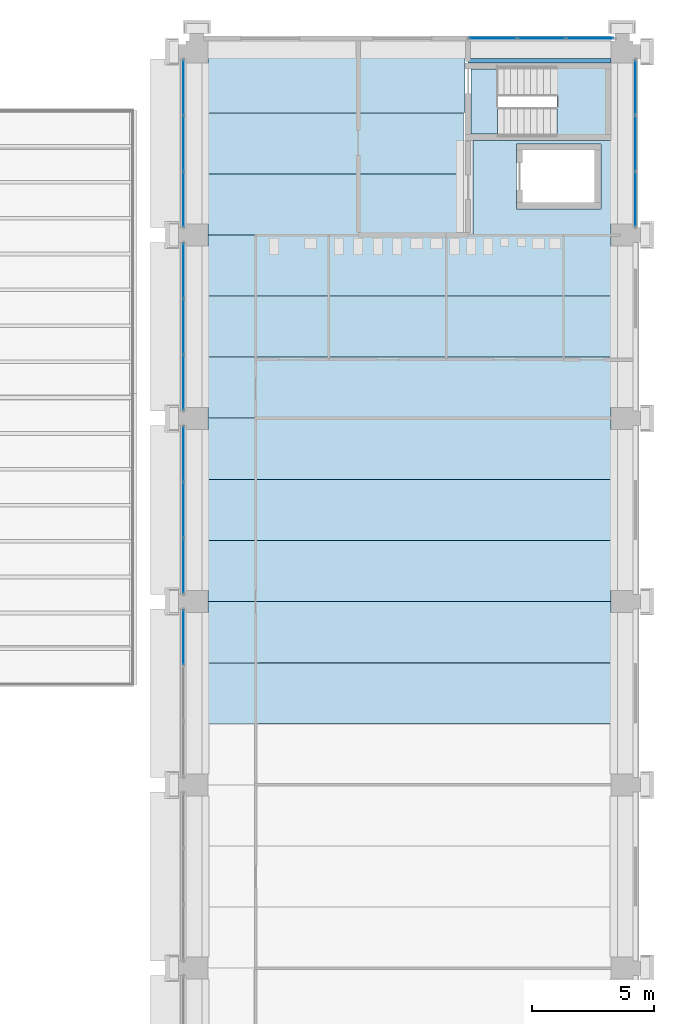
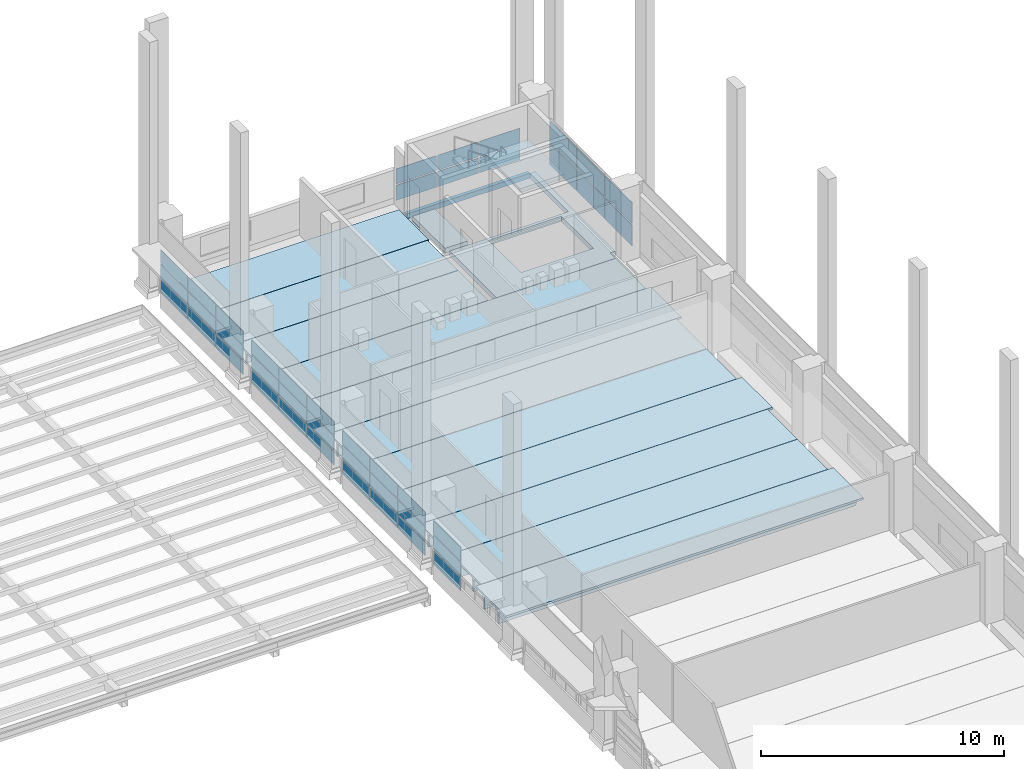
# One storey, part 34 of 67: 42 plates, 15 slabs, 7 elements without a shape of their own.
"""IFC4 building model written with IfcOpenShell, lengths in metres."""

from ifc_helpers import new_model, si_unit, direction, frame, origin, origin_2d, place, context, subcontext, project, spatial, polyline, rectangle, outline, extrude, material, layer, layer_set, material_profile, profile_set, type_object, element, aggregate, save


model = new_model("IFC4")

# Units and contexts
model_context = context("Model", 3, precision=1e-05, world=origin(), true_north=direction((0.0, 1.0)))
body_context = subcontext(model_context, "Body", "Model", "MODEL_VIEW")
ifc_project = project(units=[si_unit("LENGTHUNIT", "METRE"), si_unit("AREAUNIT", "SQUARE_METRE"), si_unit("VOLUMEUNIT", "CUBIC_METRE"), si_unit("PLANEANGLEUNIT", "RADIAN"), si_unit("MASSUNIT", "GRAM", prefix="KILO")], contexts=[model_context])

# Site, building, storey
site_placement = place(None, origin())
site = spatial("IfcSite", under=ifc_project, at=site_placement, CompositionType="ELEMENT")
building_placement = place(site_placement, origin())
building = spatial("IfcBuilding", under=site, at=building_placement, Name="Cour d'Honneur Mobility Palace", CompositionType="ELEMENT")
storey_placement = place(building_placement, frame((0.0, 0.0, 4.5)))
storey = spatial("IfcBuildingStorey", under=building, at=storey_placement, Name="L01", CompositionType="ELEMENT", Elevation=4.5)

# Slabs
ifc_material_1 = material(Name="Concrete C50", Category="concrete")
ifc_layer_1 = layer(ifc_material_1, 0.25)
ifc_layer_set_1 = layer_set([ifc_layer_1], Name="Concrete C50")
slab_type_1 = type_object("IfcSlabType", Name="Cast-in-place Slab 250", PredefinedType="FLOOR", material=ifc_layer_set_1)
slab_1_placement = place(storey_placement, frame((0.0, 0.0, -0.25)))
element("IfcSlab", 1, at=slab_1_placement, inside=storey, type_object=slab_type_1, Name="Cast-in-place slab S1 L01 core", PredefinedType="FLOOR", context=body_context, shape_type="SweptSolid", body=[
    extrude(outline(polyline([(161.85009765625, 114.449951171875), (156.0, 114.449951171875), (156.0, 114.625), (161.85009765625, 114.625), (161.85009765625, 114.449951171875)])), origin(), (0.0, 0.0, 1.0), 0.25),
])
slab_2_placement = place(storey_placement, frame((0.0, 0.0, -0.25)))
element("IfcSlab", 2, at=slab_2_placement, inside=storey, type_object=slab_type_1, Name="Cast-in-place slab S1 L01 core", PredefinedType="FLOOR", context=body_context, shape_type="SweptSolid", body=[
    extrude(outline(polyline([(162.10009765625, 114.449951171875), (162.10009765625, 107.85009765625), (161.85009765625, 107.85009765625), (161.85009765625, 107.39990234375), (156.199951171875, 107.39990234375), (156.199951171875, 111.27490234375), (161.85009765625, 111.27490234375), (161.85009765625, 114.449951171875), (162.10009765625, 114.449951171875)]), holes=[polyline([(161.425048828125, 111.125), (157.97509765625, 111.125), (157.97509765625, 108.47509765625), (161.425048828125, 108.47509765625), (161.425048828125, 111.125)])]), origin(), (0.0, 0.0, 1.0), 0.25),
])
slab_3_placement = place(storey_placement, frame((0.0, 0.0, -0.25)))
element("IfcSlab", 3, at=slab_3_placement, inside=storey, type_object=slab_type_1, Name="Cast-in-place slab S1 L01 core", PredefinedType="FLOOR", context=body_context, shape_type="SweptSolid", body=[
    extrude(outline(polyline([(156.125, 114.199951171875), (157.199951171875, 114.199951171875), (157.199951171875, 111.52490234375), (156.125, 111.52490234375), (156.125, 114.199951171875)])), origin(), (0.0, 0.0, 1.0), 0.25),
])

# Curtain wall, plates
ifc_material_2 = material(Name="Aluminium and glass", Category="aluminium")
ifc_layer_2 = layer(ifc_material_2, 0.10009765625)
ifc_layer_set_2 = layer_set([ifc_layer_2], Name="Aluminium and glass")
curtain_wall_type = type_object("IfcCurtainWallType", Name="Curtain wall run", PredefinedType="NOTDEFINED", material=ifc_layer_set_2)
curtain_wall_1_placement = place(storey_placement, origin())
curtain_wall_1 = element("IfcCurtainWall", 4, at=curtain_wall_1_placement, inside=storey, type_object=curtain_wall_type, Name="Curtain wall CW-44", PredefinedType="NOTDEFINED")
ifc_material_3 = material(Name="Double glazing", Category="glass")
ifc_layer_3 = layer(ifc_material_3, 0.028076171875)
ifc_layer_set_3 = layer_set([ifc_layer_3], Name="Double glazing")
plate_type = type_object("IfcPlateType", Name="Curtain wall panel", PredefinedType="CURTAIN_PANEL", material=ifc_layer_set_3)
plate_1_placement = place(storey_placement, frame((144.35009765625, 113.43505859375, 0.06005859375), z_axis=(0.0, 0.0, 1.0), x_axis=(0.0, -1.0, 0.0)))
plate_1 = element("IfcPlate", 5, at=plate_1_placement, type_object=plate_type, Name="CW-44 panel 1.1", PredefinedType="CURTAIN_PANEL", context=body_context, shape_type="SweptSolid", body=[
    extrude(rectangle(XDim=2.2099609375, YDim=0.028076171875, at=origin_2d()), origin(), (0.0, 0.0, 1.0), 0.6767578125),
])
plate_2_placement = place(storey_placement, frame((144.35009765625, 113.43505859375, 0.79638671875), z_axis=(0.0, 0.0, 1.0), x_axis=(0.0, -1.0, 0.0)))
plate_2 = element("IfcPlate", 6, at=plate_2_placement, type_object=plate_type, Name="CW-44 panel 1.2", PredefinedType="CURTAIN_PANEL", context=body_context, shape_type="SweptSolid", body=[
    extrude(rectangle(XDim=2.2099609375, YDim=0.028076171875, at=origin_2d()), origin(), (0.0, 0.0, 1.0), 0.706787109375),
])
plate_3_placement = place(storey_placement, frame((144.35009765625, 113.43505859375, 1.563232421875), z_axis=(0.0, 0.0, 1.0), x_axis=(0.0, -1.0, 0.0)))
plate_3 = element("IfcPlate", 7, at=plate_3_placement, type_object=plate_type, Name="CW-44 panel 1.3", PredefinedType="CURTAIN_PANEL", context=body_context, shape_type="SweptSolid", body=[
    extrude(rectangle(XDim=2.2099609375, YDim=0.028076171875, at=origin_2d()), origin(), (0.0, 0.0, 1.0), 0.6767578125),
])
plate_4_placement = place(storey_placement, frame((144.35009765625, 111.14990234375, 0.06005859375), z_axis=(0.0, 0.0, 1.0), x_axis=(0.0, -1.0, 0.0)))
plate_4 = element("IfcPlate", 8, at=plate_4_placement, type_object=plate_type, Name="CW-44 panel 2.1", PredefinedType="CURTAIN_PANEL", context=body_context, shape_type="SweptSolid", body=[
    extrude(rectangle(XDim=2.239990234375, YDim=0.028076171875, at=origin_2d()), origin(), (0.0, 0.0, 1.0), 0.6767578125),
])
plate_5_placement = place(storey_placement, frame((144.35009765625, 111.14990234375, 0.79638671875), z_axis=(0.0, 0.0, 1.0), x_axis=(0.0, -1.0, 0.0)))
plate_5 = element("IfcPlate", 9, at=plate_5_placement, type_object=plate_type, Name="CW-44 panel 2.2", PredefinedType="CURTAIN_PANEL", context=body_context, shape_type="SweptSolid", body=[
    extrude(rectangle(XDim=2.239990234375, YDim=0.028076171875, at=origin_2d()), origin(), (0.0, 0.0, 1.0), 0.706787109375),
])
plate_6_placement = place(storey_placement, frame((144.35009765625, 111.14990234375, 1.563232421875), z_axis=(0.0, 0.0, 1.0), x_axis=(0.0, -1.0, 0.0)))
plate_6 = element("IfcPlate", 10, at=plate_6_placement, type_object=plate_type, Name="CW-44 panel 2.3", PredefinedType="CURTAIN_PANEL", context=body_context, shape_type="SweptSolid", body=[
    extrude(rectangle(XDim=2.239990234375, YDim=0.028076171875, at=origin_2d()), origin(), (0.0, 0.0, 1.0), 0.6767578125),
])
plate_7_placement = place(storey_placement, frame((144.35009765625, 108.864990234375, 0.06005859375), z_axis=(0.0, 0.0, 1.0), x_axis=(0.0, -1.0, 0.0)))
plate_7 = element("IfcPlate", 11, at=plate_7_placement, type_object=plate_type, Name="CW-44 panel 3.1", PredefinedType="CURTAIN_PANEL", context=body_context, shape_type="SweptSolid", body=[
    extrude(rectangle(XDim=2.2099609375, YDim=0.028076171875, at=origin_2d()), origin(), (0.0, 0.0, 1.0), 0.6767578125),
])
plate_8_placement = place(storey_placement, frame((144.35009765625, 108.864990234375, 0.79638671875), z_axis=(0.0, 0.0, 1.0), x_axis=(0.0, -1.0, 0.0)))
plate_8 = element("IfcPlate", 12, at=plate_8_placement, type_object=plate_type, Name="CW-44 panel 3.2", PredefinedType="CURTAIN_PANEL", context=body_context, shape_type="SweptSolid", body=[
    extrude(rectangle(XDim=2.2099609375, YDim=0.028076171875, at=origin_2d()), origin(), (0.0, 0.0, 1.0), 0.706787109375),
])
plate_9_placement = place(storey_placement, frame((144.35009765625, 108.864990234375, 1.563232421875), z_axis=(0.0, 0.0, 1.0), x_axis=(0.0, -1.0, 0.0)))
plate_9 = element("IfcPlate", 13, at=plate_9_placement, type_object=plate_type, Name="CW-44 panel 3.3", PredefinedType="CURTAIN_PANEL", context=body_context, shape_type="SweptSolid", body=[
    extrude(rectangle(XDim=2.2099609375, YDim=0.028076171875, at=origin_2d()), origin(), (0.0, 0.0, 1.0), 0.6767578125),
])
aggregate(curtain_wall_1, [plate_1, plate_2, plate_3, plate_4, plate_5, plate_6, plate_7, plate_8, plate_9])

curtain_wall_2_placement = place(storey_placement, origin())
curtain_wall_2 = element("IfcCurtainWall", 14, at=curtain_wall_2_placement, inside=storey, type_object=curtain_wall_type, Name="Curtain wall CW-45", PredefinedType="NOTDEFINED")
plate_10_placement = place(storey_placement, frame((144.35009765625, 105.93505859375, 0.06005859375), z_axis=(0.0, 0.0, 1.0), x_axis=(0.0, -1.0, 0.0)))
plate_10 = element("IfcPlate", 15, at=plate_10_placement, type_object=plate_type, Name="CW-45 panel 1.1", PredefinedType="CURTAIN_PANEL", context=body_context, shape_type="SweptSolid", body=[
    extrude(rectangle(XDim=2.2099609375, YDim=0.028076171875, at=origin_2d()), origin(), (0.0, 0.0, 1.0), 0.6767578125),
])
plate_11_placement = place(storey_placement, frame((144.35009765625, 105.93505859375, 0.79638671875), z_axis=(0.0, 0.0, 1.0), x_axis=(0.0, -1.0, 0.0)))
plate_11 = element("IfcPlate", 16, at=plate_11_placement, type_object=plate_type, Name="CW-45 panel 1.2", PredefinedType="CURTAIN_PANEL", context=body_context, shape_type="SweptSolid", body=[
    extrude(rectangle(XDim=2.2099609375, YDim=0.028076171875, at=origin_2d()), origin(), (0.0, 0.0, 1.0), 0.706787109375),
])
plate_12_placement = place(storey_placement, frame((144.35009765625, 105.93505859375, 1.563232421875), z_axis=(0.0, 0.0, 1.0), x_axis=(0.0, -1.0, 0.0)))
plate_12 = element("IfcPlate", 17, at=plate_12_placement, type_object=plate_type, Name="CW-45 panel 1.3", PredefinedType="CURTAIN_PANEL", context=body_context, shape_type="SweptSolid", body=[
    extrude(rectangle(XDim=2.2099609375, YDim=0.028076171875, at=origin_2d()), origin(), (0.0, 0.0, 1.0), 0.6767578125),
])
plate_13_placement = place(storey_placement, frame((144.35009765625, 103.64990234375, 0.06005859375), z_axis=(0.0, 0.0, 1.0), x_axis=(0.0, -1.0, 0.0)))
plate_13 = element("IfcPlate", 18, at=plate_13_placement, type_object=plate_type, Name="CW-45 panel 2.1", PredefinedType="CURTAIN_PANEL", context=body_context, shape_type="SweptSolid", body=[
    extrude(rectangle(XDim=2.239990234375, YDim=0.028076171875, at=origin_2d()), origin(), (0.0, 0.0, 1.0), 0.6767578125),
])
plate_14_placement = place(storey_placement, frame((144.35009765625, 103.64990234375, 0.79638671875), z_axis=(0.0, 0.0, 1.0), x_axis=(0.0, -1.0, 0.0)))
plate_14 = element("IfcPlate", 19, at=plate_14_placement, type_object=plate_type, Name="CW-45 panel 2.2", PredefinedType="CURTAIN_PANEL", context=body_context, shape_type="SweptSolid", body=[
    extrude(rectangle(XDim=2.239990234375, YDim=0.028076171875, at=origin_2d()), origin(), (0.0, 0.0, 1.0), 0.706787109375),
])
plate_15_placement = place(storey_placement, frame((144.35009765625, 103.64990234375, 1.563232421875), z_axis=(0.0, 0.0, 1.0), x_axis=(0.0, -1.0, 0.0)))
plate_15 = element("IfcPlate", 20, at=plate_15_placement, type_object=plate_type, Name="CW-45 panel 2.3", PredefinedType="CURTAIN_PANEL", context=body_context, shape_type="SweptSolid", body=[
    extrude(rectangle(XDim=2.239990234375, YDim=0.028076171875, at=origin_2d()), origin(), (0.0, 0.0, 1.0), 0.6767578125),
])
plate_16_placement = place(storey_placement, frame((144.35009765625, 101.364990234375, 0.06005859375), z_axis=(0.0, 0.0, 1.0), x_axis=(0.0, -1.0, 0.0)))
plate_16 = element("IfcPlate", 21, at=plate_16_placement, type_object=plate_type, Name="CW-45 panel 3.1", PredefinedType="CURTAIN_PANEL", context=body_context, shape_type="SweptSolid", body=[
    extrude(rectangle(XDim=2.2099609375, YDim=0.028076171875, at=origin_2d()), origin(), (0.0, 0.0, 1.0), 0.6767578125),
])
plate_17_placement = place(storey_placement, frame((144.35009765625, 101.364990234375, 0.79638671875), z_axis=(0.0, 0.0, 1.0), x_axis=(0.0, -1.0, 0.0)))
plate_17 = element("IfcPlate", 22, at=plate_17_placement, type_object=plate_type, Name="CW-45 panel 3.2", PredefinedType="CURTAIN_PANEL", context=body_context, shape_type="SweptSolid", body=[
    extrude(rectangle(XDim=2.2099609375, YDim=0.028076171875, at=origin_2d()), origin(), (0.0, 0.0, 1.0), 0.706787109375),
])
plate_18_placement = place(storey_placement, frame((144.35009765625, 101.364990234375, 1.563232421875), z_axis=(0.0, 0.0, 1.0), x_axis=(0.0, -1.0, 0.0)))
plate_18 = element("IfcPlate", 23, at=plate_18_placement, type_object=plate_type, Name="CW-45 panel 3.3", PredefinedType="CURTAIN_PANEL", context=body_context, shape_type="SweptSolid", body=[
    extrude(rectangle(XDim=2.2099609375, YDim=0.028076171875, at=origin_2d()), origin(), (0.0, 0.0, 1.0), 0.6767578125),
])
aggregate(curtain_wall_2, [plate_10, plate_11, plate_12, plate_13, plate_14, plate_15, plate_16, plate_17, plate_18])

curtain_wall_3_placement = place(storey_placement, origin())
curtain_wall_3 = element("IfcCurtainWall", 24, at=curtain_wall_3_placement, inside=storey, type_object=curtain_wall_type, Name="Curtain wall CW-46", PredefinedType="NOTDEFINED")
plate_19_placement = place(storey_placement, frame((144.35009765625, 98.43505859375, 0.06005859375), z_axis=(0.0, 0.0, 1.0), x_axis=(0.0, -1.0, 0.0)))
plate_19 = element("IfcPlate", 25, at=plate_19_placement, type_object=plate_type, Name="CW-46 panel 1.1", PredefinedType="CURTAIN_PANEL", context=body_context, shape_type="SweptSolid", body=[
    extrude(rectangle(XDim=2.2099609375, YDim=0.028076171875, at=origin_2d()), origin(), (0.0, 0.0, 1.0), 0.6767578125),
])
plate_20_placement = place(storey_placement, frame((144.35009765625, 98.43505859375, 0.79638671875), z_axis=(0.0, 0.0, 1.0), x_axis=(0.0, -1.0, 0.0)))
plate_20 = element("IfcPlate", 26, at=plate_20_placement, type_object=plate_type, Name="CW-46 panel 1.2", PredefinedType="CURTAIN_PANEL", context=body_context, shape_type="SweptSolid", body=[
    extrude(rectangle(XDim=2.2099609375, YDim=0.028076171875, at=origin_2d()), origin(), (0.0, 0.0, 1.0), 0.706787109375),
])
plate_21_placement = place(storey_placement, frame((144.35009765625, 98.43505859375, 1.563232421875), z_axis=(0.0, 0.0, 1.0), x_axis=(0.0, -1.0, 0.0)))
plate_21 = element("IfcPlate", 27, at=plate_21_placement, type_object=plate_type, Name="CW-46 panel 1.3", PredefinedType="CURTAIN_PANEL", context=body_context, shape_type="SweptSolid", body=[
    extrude(rectangle(XDim=2.2099609375, YDim=0.028076171875, at=origin_2d()), origin(), (0.0, 0.0, 1.0), 0.6767578125),
])
plate_22_placement = place(storey_placement, frame((144.35009765625, 96.14990234375, 0.06005859375), z_axis=(0.0, 0.0, 1.0), x_axis=(0.0, -1.0, 0.0)))
plate_22 = element("IfcPlate", 28, at=plate_22_placement, type_object=plate_type, Name="CW-46 panel 2.1", PredefinedType="CURTAIN_PANEL", context=body_context, shape_type="SweptSolid", body=[
    extrude(rectangle(XDim=2.239990234375, YDim=0.028076171875, at=origin_2d()), origin(), (0.0, 0.0, 1.0), 0.6767578125),
])
plate_23_placement = place(storey_placement, frame((144.35009765625, 96.14990234375, 0.79638671875), z_axis=(0.0, 0.0, 1.0), x_axis=(0.0, -1.0, 0.0)))
plate_23 = element("IfcPlate", 29, at=plate_23_placement, type_object=plate_type, Name="CW-46 panel 2.2", PredefinedType="CURTAIN_PANEL", context=body_context, shape_type="SweptSolid", body=[
    extrude(rectangle(XDim=2.239990234375, YDim=0.028076171875, at=origin_2d()), origin(), (0.0, 0.0, 1.0), 0.706787109375),
])
plate_24_placement = place(storey_placement, frame((144.35009765625, 96.14990234375, 1.563232421875), z_axis=(0.0, 0.0, 1.0), x_axis=(0.0, -1.0, 0.0)))
plate_24 = element("IfcPlate", 30, at=plate_24_placement, type_object=plate_type, Name="CW-46 panel 2.3", PredefinedType="CURTAIN_PANEL", context=body_context, shape_type="SweptSolid", body=[
    extrude(rectangle(XDim=2.239990234375, YDim=0.028076171875, at=origin_2d()), origin(), (0.0, 0.0, 1.0), 0.6767578125),
])
plate_25_placement = place(storey_placement, frame((144.35009765625, 93.864990234375, 0.06005859375), z_axis=(0.0, 0.0, 1.0), x_axis=(0.0, -1.0, 0.0)))
plate_25 = element("IfcPlate", 31, at=plate_25_placement, type_object=plate_type, Name="CW-46 panel 3.1", PredefinedType="CURTAIN_PANEL", context=body_context, shape_type="SweptSolid", body=[
    extrude(rectangle(XDim=2.2099609375, YDim=0.028076171875, at=origin_2d()), origin(), (0.0, 0.0, 1.0), 0.6767578125),
])
plate_26_placement = place(storey_placement, frame((144.35009765625, 93.864990234375, 0.79638671875), z_axis=(0.0, 0.0, 1.0), x_axis=(0.0, -1.0, 0.0)))
plate_26 = element("IfcPlate", 32, at=plate_26_placement, type_object=plate_type, Name="CW-46 panel 3.2", PredefinedType="CURTAIN_PANEL", context=body_context, shape_type="SweptSolid", body=[
    extrude(rectangle(XDim=2.2099609375, YDim=0.028076171875, at=origin_2d()), origin(), (0.0, 0.0, 1.0), 0.706787109375),
])
plate_27_placement = place(storey_placement, frame((144.35009765625, 93.864990234375, 1.563232421875), z_axis=(0.0, 0.0, 1.0), x_axis=(0.0, -1.0, 0.0)))
plate_27 = element("IfcPlate", 33, at=plate_27_placement, type_object=plate_type, Name="CW-46 panel 3.3", PredefinedType="CURTAIN_PANEL", context=body_context, shape_type="SweptSolid", body=[
    extrude(rectangle(XDim=2.2099609375, YDim=0.028076171875, at=origin_2d()), origin(), (0.0, 0.0, 1.0), 0.6767578125),
])
aggregate(curtain_wall_3, [plate_19, plate_20, plate_21, plate_22, plate_23, plate_24, plate_25, plate_26, plate_27])

curtain_wall_4_placement = place(storey_placement, origin())
curtain_wall_4 = element("IfcCurtainWall", 34, at=curtain_wall_4_placement, inside=storey, type_object=curtain_wall_type, Name="Curtain wall CW-47", PredefinedType="NOTDEFINED")
plate_28_placement = place(storey_placement, frame((144.35009765625, 90.93505859375, 0.06005859375), z_axis=(0.0, 0.0, 1.0), x_axis=(0.0, -1.0, 0.0)))
plate_28 = element("IfcPlate", 35, at=plate_28_placement, type_object=plate_type, Name="CW-47 panel 1.1", PredefinedType="CURTAIN_PANEL", context=body_context, shape_type="SweptSolid", body=[
    extrude(rectangle(XDim=2.2099609375, YDim=0.028076171875, at=origin_2d()), origin(), (0.0, 0.0, 1.0), 0.6767578125),
])
plate_29_placement = place(storey_placement, frame((144.35009765625, 90.93505859375, 0.79638671875), z_axis=(0.0, 0.0, 1.0), x_axis=(0.0, -1.0, 0.0)))
plate_29 = element("IfcPlate", 36, at=plate_29_placement, type_object=plate_type, Name="CW-47 panel 1.2", PredefinedType="CURTAIN_PANEL", context=body_context, shape_type="SweptSolid", body=[
    extrude(rectangle(XDim=2.2099609375, YDim=0.028076171875, at=origin_2d()), origin(), (0.0, 0.0, 1.0), 0.706787109375),
])
plate_30_placement = place(storey_placement, frame((144.35009765625, 90.93505859375, 1.563232421875), z_axis=(0.0, 0.0, 1.0), x_axis=(0.0, -1.0, 0.0)))
plate_30 = element("IfcPlate", 37, at=plate_30_placement, type_object=plate_type, Name="CW-47 panel 1.3", PredefinedType="CURTAIN_PANEL", context=body_context, shape_type="SweptSolid", body=[
    extrude(rectangle(XDim=2.2099609375, YDim=0.028076171875, at=origin_2d()), origin(), (0.0, 0.0, 1.0), 0.6767578125),
])
aggregate(curtain_wall_4, [plate_28, plate_29, plate_30])

curtain_wall_5_placement = place(storey_placement, origin())
curtain_wall_5 = element("IfcCurtainWall", 38, at=curtain_wall_5_placement, inside=storey, type_object=curtain_wall_type, Name="Curtain wall CW-113", PredefinedType="NOTDEFINED")
plate_31_placement = place(storey_placement, frame((162.85009765625, 108.864990234375, 0.06005859375), z_axis=(0.0, 0.0, 1.0), x_axis=(0.0, 1.0, 0.0)))
plate_31 = element("IfcPlate", 39, at=plate_31_placement, type_object=plate_type, Name="CW-113 panel 1.1", PredefinedType="CURTAIN_PANEL", context=body_context, shape_type="SweptSolid", body=[
    extrude(rectangle(XDim=2.2099609375, YDim=0.028076171875, at=origin_2d()), origin(), (0.0, 0.0, 1.0), 1.06005859375),
])
plate_32_placement = place(storey_placement, frame((162.85009765625, 108.864990234375, 1.179931640625), z_axis=(0.0, 0.0, 1.0), x_axis=(0.0, 1.0, 0.0)))
plate_32 = element("IfcPlate", 40, at=plate_32_placement, type_object=plate_type, Name="CW-113 panel 1.2", PredefinedType="CURTAIN_PANEL", context=body_context, shape_type="SweptSolid", body=[
    extrude(rectangle(XDim=2.2099609375, YDim=0.028076171875, at=origin_2d()), origin(), (0.0, 0.0, 1.0), 1.06005859375),
])
plate_33_placement = place(storey_placement, frame((162.85009765625, 111.14990234375, 0.06005859375), z_axis=(0.0, 0.0, 1.0), x_axis=(0.0, 1.0, 0.0)))
plate_33 = element("IfcPlate", 41, at=plate_33_placement, type_object=plate_type, Name="CW-113 panel 2.1", PredefinedType="CURTAIN_PANEL", context=body_context, shape_type="SweptSolid", body=[
    extrude(rectangle(XDim=2.239990234375, YDim=0.028076171875, at=origin_2d()), origin(), (0.0, 0.0, 1.0), 1.06005859375),
])
plate_34_placement = place(storey_placement, frame((162.85009765625, 111.14990234375, 1.179931640625), z_axis=(0.0, 0.0, 1.0), x_axis=(0.0, 1.0, 0.0)))
plate_34 = element("IfcPlate", 42, at=plate_34_placement, type_object=plate_type, Name="CW-113 panel 2.2", PredefinedType="CURTAIN_PANEL", context=body_context, shape_type="SweptSolid", body=[
    extrude(rectangle(XDim=2.239990234375, YDim=0.028076171875, at=origin_2d()), origin(), (0.0, 0.0, 1.0), 1.06005859375),
])
plate_35_placement = place(storey_placement, frame((162.85009765625, 113.43505859375, 0.06005859375), z_axis=(0.0, 0.0, 1.0), x_axis=(0.0, 1.0, 0.0)))
plate_35 = element("IfcPlate", 43, at=plate_35_placement, type_object=plate_type, Name="CW-113 panel 3.1", PredefinedType="CURTAIN_PANEL", context=body_context, shape_type="SweptSolid", body=[
    extrude(rectangle(XDim=2.2099609375, YDim=0.028076171875, at=origin_2d()), origin(), (0.0, 0.0, 1.0), 1.06005859375),
])
plate_36_placement = place(storey_placement, frame((162.85009765625, 113.43505859375, 1.179931640625), z_axis=(0.0, 0.0, 1.0), x_axis=(0.0, 1.0, 0.0)))
plate_36 = element("IfcPlate", 44, at=plate_36_placement, type_object=plate_type, Name="CW-113 panel 3.2", PredefinedType="CURTAIN_PANEL", context=body_context, shape_type="SweptSolid", body=[
    extrude(rectangle(XDim=2.2099609375, YDim=0.028076171875, at=origin_2d()), origin(), (0.0, 0.0, 1.0), 1.06005859375),
])
aggregate(curtain_wall_5, [plate_31, plate_32, plate_33, plate_34, plate_35, plate_36])

curtain_wall_6_placement = place(storey_placement, origin())
curtain_wall_6 = element("IfcCurtainWall", 45, at=curtain_wall_6_placement, inside=storey, type_object=curtain_wall_type, Name="Curtain wall CW-114", PredefinedType="NOTDEFINED")
plate_37_placement = place(storey_placement, frame((160.985107421875, 115.449951171875, 0.06005859375), z_axis=(0.0, 0.0, 1.0), x_axis=(-1.0, 0.0, 0.0)))
plate_37 = element("IfcPlate", 46, at=plate_37_placement, type_object=plate_type, Name="CW-114 panel 1.1", PredefinedType="CURTAIN_PANEL", context=body_context, shape_type="SweptSolid", body=[
    extrude(rectangle(XDim=1.909912109375, YDim=0.028076171875, at=origin_2d()), origin(), (0.0, 0.0, 1.0), 0.760009765625),
])
plate_38_placement = place(storey_placement, frame((160.985107421875, 115.449951171875, 0.8798828125), z_axis=(0.0, 0.0, 1.0), x_axis=(-1.0, 0.0, 0.0)))
plate_38 = element("IfcPlate", 47, at=plate_38_placement, type_object=plate_type, Name="CW-114 panel 1.2", PredefinedType="CURTAIN_PANEL", context=body_context, shape_type="SweptSolid", body=[
    extrude(rectangle(XDim=1.909912109375, YDim=0.028076171875, at=origin_2d()), origin(), (0.0, 0.0, 1.0), 0.760009765625),
])
plate_39_placement = place(storey_placement, frame((159.0, 115.449951171875, 0.06005859375), z_axis=(0.0, 0.0, 1.0), x_axis=(-1.0, 0.0, 0.0)))
plate_39 = element("IfcPlate", 48, at=plate_39_placement, type_object=plate_type, Name="CW-114 panel 2.1", PredefinedType="CURTAIN_PANEL", context=body_context, shape_type="SweptSolid", body=[
    extrude(rectangle(XDim=1.93994140625, YDim=0.028076171875, at=origin_2d()), origin(), (0.0, 0.0, 1.0), 0.760009765625),
])
plate_40_placement = place(storey_placement, frame((159.0, 115.449951171875, 0.8798828125), z_axis=(0.0, 0.0, 1.0), x_axis=(-1.0, 0.0, 0.0)))
plate_40 = element("IfcPlate", 49, at=plate_40_placement, type_object=plate_type, Name="CW-114 panel 2.2", PredefinedType="CURTAIN_PANEL", context=body_context, shape_type="SweptSolid", body=[
    extrude(rectangle(XDim=1.93994140625, YDim=0.028076171875, at=origin_2d()), origin(), (0.0, 0.0, 1.0), 0.760009765625),
])
plate_41_placement = place(storey_placement, frame((157.014892578125, 115.449951171875, 0.06005859375), z_axis=(0.0, 0.0, 1.0), x_axis=(-1.0, 0.0, 0.0)))
plate_41 = element("IfcPlate", 50, at=plate_41_placement, type_object=plate_type, Name="CW-114 panel 3.1", PredefinedType="CURTAIN_PANEL", context=body_context, shape_type="SweptSolid", body=[
    extrude(rectangle(XDim=1.909912109375, YDim=0.028076171875, at=origin_2d()), origin(), (0.0, 0.0, 1.0), 0.760009765625),
])
plate_42_placement = place(storey_placement, frame((157.014892578125, 115.449951171875, 0.8798828125), z_axis=(0.0, 0.0, 1.0), x_axis=(-1.0, 0.0, 0.0)))
plate_42 = element("IfcPlate", 51, at=plate_42_placement, type_object=plate_type, Name="CW-114 panel 3.2", PredefinedType="CURTAIN_PANEL", context=body_context, shape_type="SweptSolid", body=[
    extrude(rectangle(XDim=1.909912109375, YDim=0.028076171875, at=origin_2d()), origin(), (0.0, 0.0, 1.0), 0.760009765625),
])
aggregate(curtain_wall_6, [plate_37, plate_38, plate_39, plate_40, plate_41, plate_42])

# Slabs
ifc_material_4 = material(Name="Concrete C45", Category="concrete")
ifc_material_profile_1 = material_profile(ifc_material_4, outline(polyline([(-1.2451171875, 0.0), (1.2451171875, 0.0), (1.2451171875, -0.10009765625), (0.679931640625, -0.10009765625), (0.64990234375, -0.60009765625), (0.550048828125, -0.60009765625), (0.52001953125, -0.10009765625), (-0.52001953125, -0.10009765625), (-0.550048828125, -0.60009765625), (-0.64990234375, -0.60009765625), (-0.679931640625, -0.10009765625), (-1.2451171875, -0.10009765625), (-1.2451171875, 0.0)])), Name="DT 2490x600")
ifc_profile_set_1 = profile_set([ifc_material_profile_1], Name="Concrete C45")
slab_type_2 = type_object("IfcSlabType", Name="DT 2490x600", PredefinedType="FLOOR", material=ifc_profile_set_1)
slab_4_placement = place(storey_placement, frame((145.35009765625, 108.64990234375, 0.0), z_axis=(1.0, 0.0, 0.0), x_axis=(0.0, 1.0, 0.0)))
element("IfcSlab", 52, at=slab_4_placement, inside=storey, type_object=slab_type_2, Name="Double tee DT-NE19 L01", PredefinedType="FLOOR", context=body_context, shape_type="SweptSolid", body=[
    extrude(outline(polyline([(-1.2451171875, 0.0), (1.2451171875, 0.0), (1.2451171875, -0.10009765625), (0.679931640625, -0.10009765625), (0.64990234375, -0.60009765625), (0.550048828125, -0.60009765625), (0.52001953125, -0.10009765625), (-0.52001953125, -0.10009765625), (-0.550048828125, -0.60009765625), (-0.64990234375, -0.60009765625), (-0.679931640625, -0.10009765625), (-1.2451171875, -0.10009765625), (-1.2451171875, 0.0)])), origin(), (0.0, 0.0, 1.0), 10.449951171875),
])
slab_5_placement = place(storey_placement, frame((145.10009765625, 111.14990234375, 0.0), z_axis=(1.0, 0.0, 0.0), x_axis=(0.0, 1.0, 0.0)))
element("IfcSlab", 53, at=slab_5_placement, inside=storey, type_object=slab_type_2, Name="Double tee DT-NE20 L01", PredefinedType="FLOOR", context=body_context, shape_type="SweptSolid", body=[
    extrude(outline(polyline([(-1.2451171875, 0.0), (1.2451171875, 0.0), (1.2451171875, -0.10009765625), (0.679931640625, -0.10009765625), (0.64990234375, -0.60009765625), (0.550048828125, -0.60009765625), (0.52001953125, -0.10009765625), (-0.52001953125, -0.10009765625), (-0.550048828125, -0.60009765625), (-0.64990234375, -0.60009765625), (-0.679931640625, -0.10009765625), (-1.2451171875, -0.10009765625), (-1.2451171875, 0.0)])), origin(), (0.0, 0.0, 1.0), 10.699951171875),
])
slab_6_placement = place(storey_placement, frame((145.35009765625, 113.64990234375, 0.0), z_axis=(1.0, 0.0, 0.0), x_axis=(0.0, 1.0, 0.0)))
element("IfcSlab", 54, at=slab_6_placement, inside=storey, type_object=slab_type_2, Name="Double tee DT-NE21 L01", PredefinedType="FLOOR", context=body_context, shape_type="SweptSolid", body=[
    extrude(outline(polyline([(-1.2451171875, 0.0), (1.2451171875, 0.0), (1.2451171875, -0.10009765625), (0.679931640625, -0.10009765625), (0.64990234375, -0.60009765625), (0.550048828125, -0.60009765625), (0.52001953125, -0.10009765625), (-0.52001953125, -0.10009765625), (-0.550048828125, -0.60009765625), (-0.64990234375, -0.60009765625), (-0.679931640625, -0.10009765625), (-1.2451171875, -0.10009765625), (-1.2451171875, 0.0)])), origin(), (0.0, 0.0, 1.0), 10.52490234375),
])
ifc_material_5 = material(Name="Concrete C45", Category="concrete")
ifc_material_profile_2 = material_profile(ifc_material_5, outline(polyline([(-1.2451171875, 0.0), (1.2451171875, 0.0), (1.2451171875, -0.10009765625), (0.679931640625, -0.10009765625), (0.64990234375, -0.75), (0.550048828125, -0.75), (0.52001953125, -0.10009765625), (-0.52001953125, -0.10009765625), (-0.550048828125, -0.75), (-0.64990234375, -0.75), (-0.679931640625, -0.10009765625), (-1.2451171875, -0.10009765625), (-1.2451171875, 0.0)])), Name="DT 2490x750")
ifc_profile_set_2 = profile_set([ifc_material_profile_2], Name="Concrete C45")
slab_type_3 = type_object("IfcSlabType", Name="DT 2490x750", PredefinedType="FLOOR", material=ifc_profile_set_2)
slab_7_placement = place(storey_placement, frame((145.10009765625, 88.64990234375, 0.0), z_axis=(1.0, 0.0, 0.0), x_axis=(0.0, 1.0, 0.0)))
element("IfcSlab", 55, at=slab_7_placement, inside=storey, type_object=slab_type_3, Name="Double tee DT-NE11 L01", PredefinedType="FLOOR", context=body_context, shape_type="SweptSolid", body=[
    extrude(outline(polyline([(-1.2451171875, 0.0), (1.2451171875, 0.0), (1.2451171875, -0.10009765625), (0.679931640625, -0.10009765625), (0.64990234375, -0.75), (0.550048828125, -0.75), (0.52001953125, -0.10009765625), (-0.52001953125, -0.10009765625), (-0.550048828125, -0.75), (-0.64990234375, -0.75), (-0.679931640625, -0.10009765625), (-1.2451171875, -0.10009765625), (-1.2451171875, 0.0)])), origin(), (0.0, 0.0, 1.0), 17.0),
])
for number, where, z_axis, x_axis, name in (
    (56, (145.35009765625, 91.14990234375, 0.0), (1.0, 0.0, 0.0), (0.0, 1.0, 0.0), "Double tee DT-NE12 L01"),
    (57, (145.35009765625, 93.64990234375, 0.0), (1.0, 0.0, 0.0), (0.0, 1.0, 0.0), "Double tee DT-NE13 L01"),
):
    element("IfcSlab", number, at=place(storey_placement, frame(where, z_axis=z_axis, x_axis=x_axis)), inside=storey, type_object=slab_type_3, Name=name, PredefinedType="FLOOR", context=body_context, shape_type="SweptSolid", body=[
        extrude(outline(polyline([(-1.2451171875, 0.0), (1.2451171875, 0.0), (1.2451171875, -0.10009765625), (0.679931640625, -0.10009765625), (0.64990234375, -0.75), (0.550048828125, -0.75), (0.52001953125, -0.10009765625), (-0.52001953125, -0.10009765625), (-0.550048828125, -0.75), (-0.64990234375, -0.75), (-0.679931640625, -0.10009765625), (-1.2451171875, -0.10009765625), (-1.2451171875, 0.0)])), origin(), (0.0, 0.0, 1.0), 16.5),
    ])
slab_8_placement = place(storey_placement, frame((145.10009765625, 96.14990234375, 0.0), z_axis=(1.0, 0.0, 0.0), x_axis=(0.0, 1.0, 0.0)))
element("IfcSlab", 58, at=slab_8_placement, inside=storey, type_object=slab_type_3, Name="Double tee DT-NE14 L01", PredefinedType="FLOOR", context=body_context, shape_type="SweptSolid", body=[
    extrude(outline(polyline([(-1.2451171875, 0.0), (1.2451171875, 0.0), (1.2451171875, -0.10009765625), (0.679931640625, -0.10009765625), (0.64990234375, -0.75), (0.550048828125, -0.75), (0.52001953125, -0.10009765625), (-0.52001953125, -0.10009765625), (-0.550048828125, -0.75), (-0.64990234375, -0.75), (-0.679931640625, -0.10009765625), (-1.2451171875, -0.10009765625), (-1.2451171875, 0.0)])), origin(), (0.0, 0.0, 1.0), 17.0),
])
for number, where, z_axis, x_axis, name in (
    (59, (145.35009765625, 98.64990234375, 0.0), (1.0, 0.0, 0.0), (0.0, 1.0, 0.0), "Double tee DT-NE15 L01"),
    (60, (145.35009765625, 101.14990234375, 0.0), (1.0, 0.0, 0.0), (0.0, 1.0, 0.0), "Double tee DT-NE16 L01"),
):
    element("IfcSlab", number, at=place(storey_placement, frame(where, z_axis=z_axis, x_axis=x_axis)), inside=storey, type_object=slab_type_3, Name=name, PredefinedType="FLOOR", context=body_context, shape_type="SweptSolid", body=[
        extrude(outline(polyline([(-1.2451171875, 0.0), (1.2451171875, 0.0), (1.2451171875, -0.10009765625), (0.679931640625, -0.10009765625), (0.64990234375, -0.75), (0.550048828125, -0.75), (0.52001953125, -0.10009765625), (-0.52001953125, -0.10009765625), (-0.550048828125, -0.75), (-0.64990234375, -0.75), (-0.679931640625, -0.10009765625), (-1.2451171875, -0.10009765625), (-1.2451171875, 0.0)])), origin(), (0.0, 0.0, 1.0), 16.5),
    ])
slab_9_placement = place(storey_placement, frame((145.10009765625, 103.64990234375, 0.0), z_axis=(1.0, 0.0, 0.0), x_axis=(0.0, 1.0, 0.0)))
element("IfcSlab", 61, at=slab_9_placement, inside=storey, type_object=slab_type_3, Name="Double tee DT-NE17 L01", PredefinedType="FLOOR", context=body_context, shape_type="SweptSolid", body=[
    extrude(outline(polyline([(-1.2451171875, 0.0), (1.2451171875, 0.0), (1.2451171875, -0.10009765625), (0.679931640625, -0.10009765625), (0.64990234375, -0.75), (0.550048828125, -0.75), (0.52001953125, -0.10009765625), (-0.52001953125, -0.10009765625), (-0.550048828125, -0.75), (-0.64990234375, -0.75), (-0.679931640625, -0.10009765625), (-1.2451171875, -0.10009765625), (-1.2451171875, 0.0)])), origin(), (0.0, 0.0, 1.0), 17.0),
])
slab_10_placement = place(storey_placement, frame((145.35009765625, 106.14990234375, 0.0), z_axis=(1.0, 0.0, 0.0), x_axis=(0.0, 1.0, 0.0)))
element("IfcSlab", 62, at=slab_10_placement, inside=storey, type_object=slab_type_3, Name="Double tee DT-NE18 L01", PredefinedType="FLOOR", context=body_context, shape_type="SweptSolid", body=[
    extrude(outline(polyline([(-1.2451171875, 0.0), (1.2451171875, 0.0), (1.2451171875, -0.10009765625), (0.679931640625, -0.10009765625), (0.64990234375, -0.75), (0.550048828125, -0.75), (0.52001953125, -0.10009765625), (-0.52001953125, -0.10009765625), (-0.550048828125, -0.75), (-0.64990234375, -0.75), (-0.679931640625, -0.10009765625), (-1.2451171875, -0.10009765625), (-1.2451171875, 0.0)])), origin(), (0.0, 0.0, 1.0), 16.5),
])

# Stair, slab
ifc_material_6 = material(Name="Concrete C50", Category="concrete")
stair_type = type_object("IfcStairType", Name="Stair 20 risers", PredefinedType="HALF_TURN_STAIR", material=ifc_material_6)
stair_placement = place(storey_placement, origin())
stair = element("IfcStair", 63, at=stair_placement, inside=storey, type_object=stair_type, Name="Stair ST-NE1", PredefinedType="HALF_TURN_STAIR")
ifc_material_7 = material(Name="Concrete C50", Category="concrete")
ifc_layer_4 = layer(ifc_material_7, 0.199951171875)
ifc_layer_set_4 = layer_set([ifc_layer_4], Name="Concrete C50")
slab_type_4 = type_object("IfcSlabType", Name="Stair landing", PredefinedType="LANDING", material=ifc_layer_set_4)
slab_11_placement = place(storey_placement, frame((0.0, 0.0, 1.64990234375)))
slab_11 = element("IfcSlab", 64, at=slab_11_placement, type_object=slab_type_4, Name="ST-NE1 landing 1", PredefinedType="LANDING", context=body_context, shape_type="SweptSolid", body=[
    extrude(outline(polyline([(159.6298828125, 111.39990234375), (161.72509765625, 111.39990234375), (161.72509765625, 114.324951171875), (159.6298828125, 114.324951171875), (159.6298828125, 111.39990234375)])), origin(), (0.0, 0.0, 1.0), 0.2001953125),
])
aggregate(stair, [slab_11])

save(model, "model.ifc")
